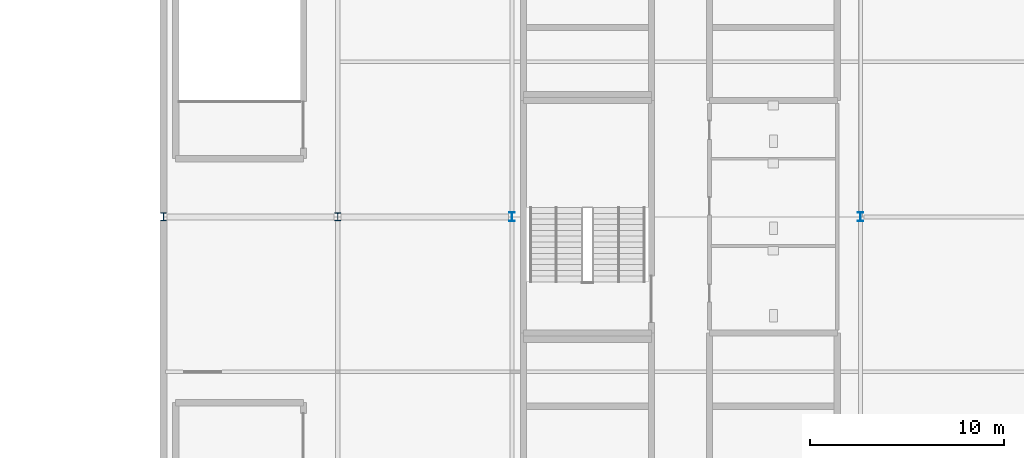
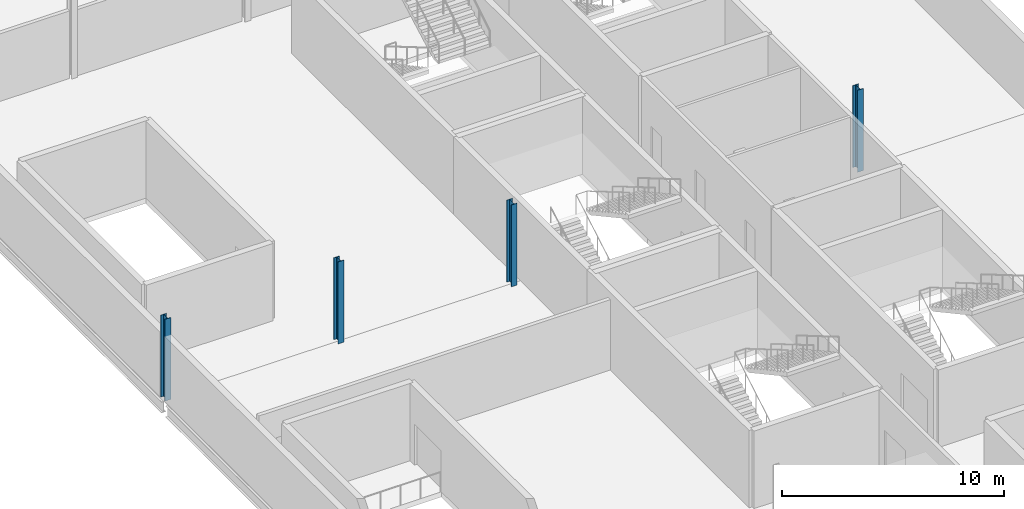
# One storey, part 9 of 73: 4 columns.
"""IFC4 building model written with IfcOpenShell, lengths in metres."""

from ifc_helpers import new_model, si_unit, direction, frame, origin, origin_2d, place, context, subcontext, project, spatial, i_section, extrude, material, material_profile, profile_set, type_object, element, save


model = new_model("IFC4")

# Units and contexts
model_context = context("Model", 3, precision=1e-05, world=origin(), true_north=direction((0.0, 1.0)))
body_context = subcontext(model_context, "Body", "Model", "MODEL_VIEW")
ifc_project = project(units=[si_unit("LENGTHUNIT", "METRE"), si_unit("AREAUNIT", "SQUARE_METRE"), si_unit("VOLUMEUNIT", "CUBIC_METRE"), si_unit("PLANEANGLEUNIT", "RADIAN"), si_unit("MASSUNIT", "GRAM", prefix="KILO")], contexts=[model_context])

# Site, building, storey
site_placement = place(None, origin())
site = spatial("IfcSite", under=ifc_project, at=site_placement, CompositionType="ELEMENT")
building_placement = place(site_placement, origin())
building = spatial("IfcBuilding", under=site, at=building_placement, Name="Kisiwana Market Hall", CompositionType="ELEMENT")
storey_placement = place(building_placement, frame((0.0, 0.0, 33.300048828125)))
storey = spatial("IfcBuildingStorey", under=building, at=storey_placement, Name="L07", CompositionType="ELEMENT", Elevation=33.300048828125)

# Columns
ifc_material_1 = material(Name="Steel S355", Category="steel")
ifc_material_profile_1 = material_profile(ifc_material_1, i_section(OverallWidth=0.300048828125, OverallDepth=0.39990234375, WebThickness=0.013427734375, FlangeThickness=0.02392578125, FilletRadius=0.027099609375, at=origin_2d()), Name="HEB 400")
ifc_profile_set_1 = profile_set([ifc_material_profile_1], Name="Steel S355")
column_type_1 = type_object("IfcColumnType", Name="COL-STL-HEB400", PredefinedType="COLUMN", material=ifc_profile_set_1)
for number, where, z_axis, x_axis, name in (
    (1, (153.0, 60.0, 0.0), (0.0, 0.0, 1.0), (1.0, 0.0, 0.0), "Column H/18 (L07) C-1119"),
    (2, (162.0, 60.0, 0.0), (0.0, 0.0, 1.0), (1.0, 0.0, 0.0), "Column H/19 (L07) C-1068"),
):
    element("IfcColumn", number, at=place(storey_placement, frame(where, z_axis=z_axis, x_axis=x_axis)), inside=storey, type_object=column_type_1, Name=name, PredefinedType="COLUMN", context=body_context, shape_type="SweptSolid", body=[
        extrude(i_section(OverallWidth=0.300048828125, OverallDepth=0.39990234375, WebThickness=0.013427734375, FlangeThickness=0.02392578125, FilletRadius=0.027099609375, at=origin_2d()), origin(), (0.0, 0.0, 1.0), 4.5),
    ])
ifc_material_2 = material(Name="Steel S355", Category="steel")
ifc_material_profile_2 = material_profile(ifc_material_2, i_section(OverallWidth=0.300048828125, OverallDepth=0.449951171875, WebThickness=0.013916015625, FlangeThickness=0.02587890625, FilletRadius=0.027099609375, at=origin_2d()), Name="HEB 450")
ifc_profile_set_2 = profile_set([ifc_material_profile_2], Name="Steel S355")
column_type_2 = type_object("IfcColumnType", Name="COL-STL-HEB450", PredefinedType="COLUMN", material=ifc_profile_set_2)
for number, where, z_axis, x_axis, name in (
    (3, (171.0, 60.0, 0.0), (0.0, 0.0, 1.0), (1.0, 0.0, 0.0), "Column H/20 (L07) C-1133"),
    (4, (189.0, 60.0, 0.0), (0.0, 0.0, 1.0), (1.0, 0.0, 0.0), "Column H/22 (L07) C-1069"),
):
    element("IfcColumn", number, at=place(storey_placement, frame(where, z_axis=z_axis, x_axis=x_axis)), inside=storey, type_object=column_type_2, Name=name, PredefinedType="COLUMN", context=body_context, shape_type="SweptSolid", body=[
        extrude(i_section(OverallWidth=0.300048828125, OverallDepth=0.449951171875, WebThickness=0.013916015625, FlangeThickness=0.02587890625, FilletRadius=0.027099609375, at=origin_2d()), origin(), (0.0, 0.0, 1.0), 4.5),
    ])

save(model, "model.ifc")
